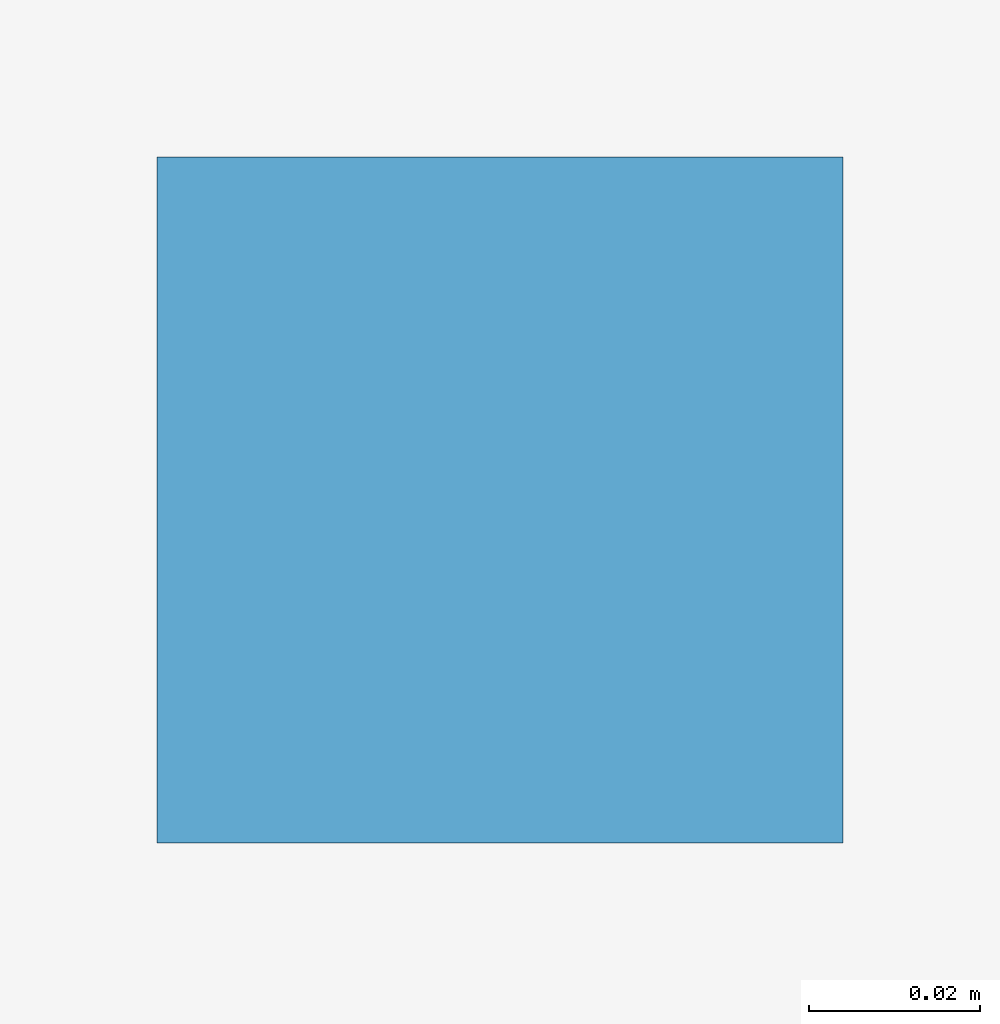
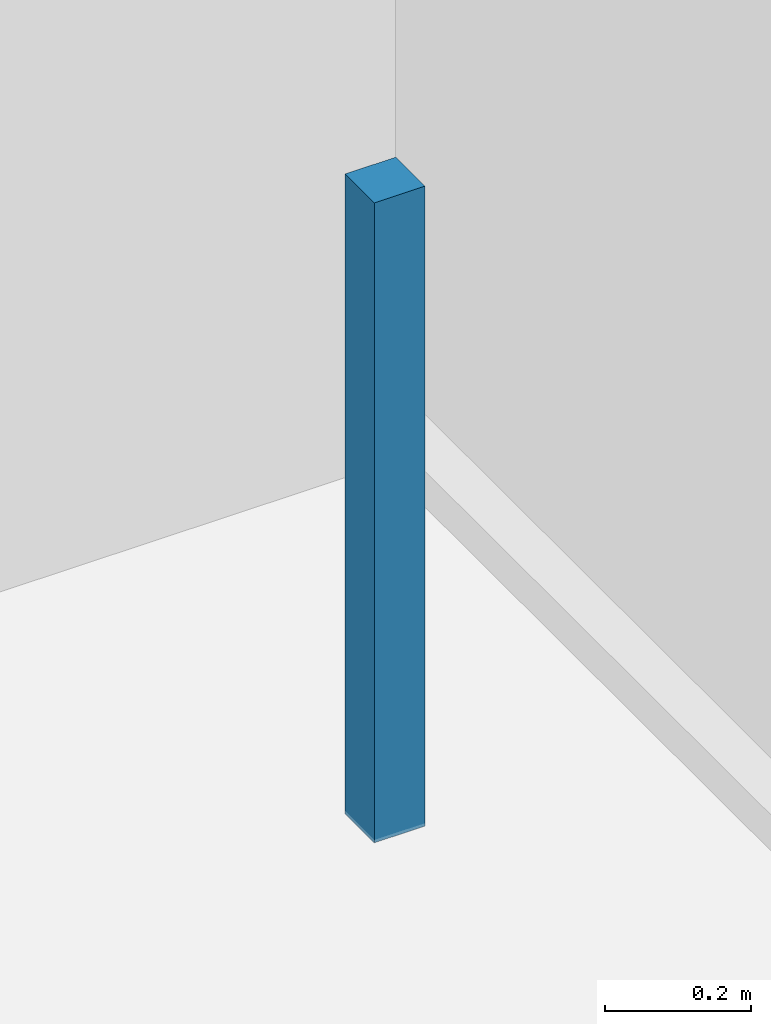
# One storey, part 92 of 103: 1 discrete accessory.
"""IFC4 building model written with IfcOpenShell, lengths in metres."""

from ifc_helpers import new_model, si_unit, direction, frame, origin, origin_2d, place, context, subcontext, project, spatial, rectangle, extrude, material, type_object, element, save


model = new_model("IFC4")

# Units and contexts
model_context = context("Model", 3, precision=1e-05, world=origin(), true_north=direction((0.0, 1.0)))
body_context = subcontext(model_context, "Body", "Model", "MODEL_VIEW")
ifc_project = project(units=[si_unit("LENGTHUNIT", "METRE"), si_unit("AREAUNIT", "SQUARE_METRE"), si_unit("VOLUMEUNIT", "CUBIC_METRE"), si_unit("PLANEANGLEUNIT", "RADIAN"), si_unit("MASSUNIT", "GRAM", prefix="KILO")], contexts=[model_context])

# Site, building, storey
site_placement = place(None, origin())
site = spatial("IfcSite", under=ifc_project, at=site_placement, CompositionType="ELEMENT")
building_placement = place(site_placement, origin())
building = spatial("IfcBuilding", under=site, at=building_placement, Name="Cazmaro Siding Exhibition Halls", CompositionType="ELEMENT")
storey_placement = place(building_placement, frame((0.0, 0.0, 16.5)))
storey = spatial("IfcBuildingStorey", under=building, at=storey_placement, Name="L03", CompositionType="ELEMENT", Elevation=16.5)

# Discrete accessory
ifc_material = material(Name="Steel ASTM A572 Grade 50", Category="steel")
discrete_accessory_type = type_object("IfcDiscreteAccessoryType", Name="SBK-02", PredefinedType="BRACKET", material=ifc_material)
discrete_accessory_placement = place(storey_placement, frame((33.199951171875, 81.5, 3.2197265625), z_axis=(0.0, 0.0, 1.0), x_axis=(1.0, 0.0, 0.0)))
element("IfcDiscreteAccessory", 1, at=discrete_accessory_placement, inside=storey, type_object=discrete_accessory_type, Name="Ceiling Cloud Hanger Bracket SBK-02 016", PredefinedType="BRACKET", context=body_context, shape_type="SweptSolid", body=[
    extrude(rectangle(XDim=0.080078125, YDim=0.080078125, at=origin_2d()), origin(), (0.0, 0.0, 1.0), 1.070068359375),
])

save(model, "model.ifc")
